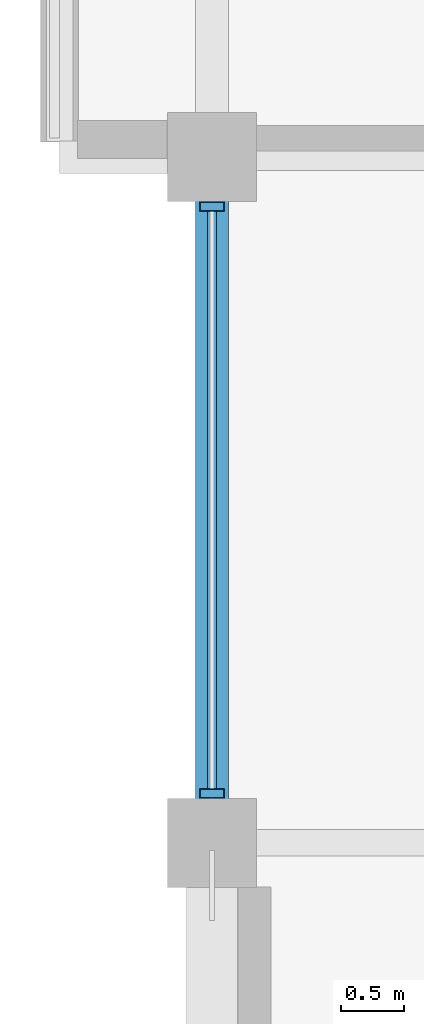
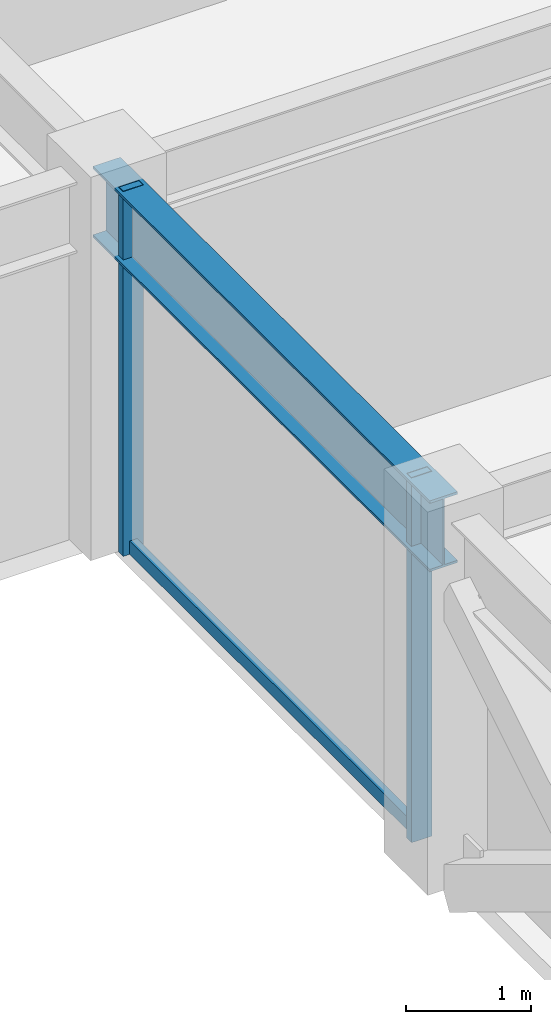
# One storey, part 4 of 29: 3 members, 1 beam, 1 element without a shape of its own.
"""IFC4 building model written with IfcOpenShell, lengths in metres."""

from ifc_helpers import new_model, si_unit, direction, frame, origin, origin_2d, place, context, subcontext, project, spatial, hollow_rectangle, i_section, extrude, material, layer, layer_set, material_profile, profile_set, type_object, element, aggregate, save


model = new_model("IFC4")

# Units and contexts
model_context = context("Model", 3, precision=1e-05, world=origin(), true_north=direction((0.0, 1.0)))
body_context = subcontext(model_context, "Body", "Model", "MODEL_VIEW")
ifc_project = project(units=[si_unit("LENGTHUNIT", "METRE"), si_unit("AREAUNIT", "SQUARE_METRE"), si_unit("VOLUMEUNIT", "CUBIC_METRE"), si_unit("PLANEANGLEUNIT", "RADIAN"), si_unit("MASSUNIT", "GRAM", prefix="KILO")], contexts=[model_context])

# Site, building, storey
site_placement = place(None, origin())
site = spatial("IfcSite", under=ifc_project, at=site_placement, CompositionType="ELEMENT")
building_placement = place(site_placement, origin())
building = spatial("IfcBuilding", under=site, at=building_placement, Name="Surkhivell Harbour Commons", CompositionType="ELEMENT")
storey_placement = place(building_placement, frame((0.0, 0.0, 277.5)))
storey = spatial("IfcBuildingStorey", under=building, at=storey_placement, Name="L72", CompositionType="ELEMENT", Elevation=277.5)

# Beam
ifc_material_1 = material(Name="Steel S355", Category="steel")
ifc_material_profile_1 = material_profile(ifc_material_1, i_section(OverallWidth=0.256103515625, OverallDepth=0.693115234375, WebThickness=0.014404296875, FlangeThickness=0.023681640625, at=origin_2d()), Name="UB686x254x170")
ifc_profile_set_1 = profile_set([ifc_material_profile_1], Name="Steel S355")
beam_type = type_object("IfcBeamType", Name="BM-SPN-686", PredefinedType="SPANDREL", material=ifc_profile_set_1)
beam_placement = place(storey_placement, frame((-27.0, -10.800048828125, 3.223388671875), z_axis=(0.0, 1.0, 0.0), x_axis=(-1.0, 0.0, 0.0)))
element("IfcBeam", 1, at=beam_placement, inside=storey, type_object=beam_type, Name="L72 Tube Spandrel (-27.0,-10.8)", PredefinedType="SPANDREL", context=body_context, shape_type="SweptSolid", body=[
    extrude(i_section(OverallWidth=0.256103515625, OverallDepth=0.693115234375, WebThickness=0.014404296875, FlangeThickness=0.023681640625, at=origin_2d()), origin(), (0.0, 0.0, 1.0), 5.400146484375),
])

# Curtain wall, members
ifc_material_2 = material(Name="Anodised pale-metal aluminium and insulated glazing", Category="aluminium")
ifc_layer = layer(ifc_material_2, 0.175048828125)
ifc_layer_set = layer_set([ifc_layer], Name="Anodised pale-metal aluminium and insulated glazing")
curtain_wall_type = type_object("IfcCurtainWallType", Name="CW-SYS-Z4", PredefinedType="NOTDEFINED", material=ifc_layer_set)
curtain_wall_placement = place(storey_placement, origin())
curtain_wall = element("IfcCurtainWall", 2, at=curtain_wall_placement, inside=storey, type_object=curtain_wall_type, Name="L72 Curtain Wall CW-L72-E12R1S1", PredefinedType="NOTDEFINED")
ifc_material_3 = material(Name="Anodised pale-metal aluminium alloy 6063-T6", Category="aluminium")
ifc_material_profile_2 = material_profile(ifc_material_3, hollow_rectangle(XDim=0.074951171875, YDim=0.18994140625, WallThickness=0.00390625, at=origin_2d()), Name="ALU-MULL-75x190")
ifc_profile_set_2 = profile_set([ifc_material_profile_2], Name="Anodised pale-metal aluminium alloy 6063-T6")
member_type_1 = type_object("IfcMemberType", Name="CWM-190", PredefinedType="MULLION", material=ifc_profile_set_2)
member_1_placement = place(storey_placement, frame((-27.0, -10.410400390625, 0.0), z_axis=(0.0, 0.0, 1.0), x_axis=(0.0, 1.0, 0.0)))
member_1 = element("IfcMember", 3, at=member_1_placement, type_object=member_type_1, Name="CW-Z4 mullion 1", PredefinedType="MULLION", context=body_context, shape_type="SweptSolid", body=[
    extrude(hollow_rectangle(XDim=0.074951171875, YDim=0.18994140625, WallThickness=0.00390625, at=origin_2d()), origin(), (0.0, 0.0, 1.0), 3.570068359375),
])
member_2_placement = place(storey_placement, frame((-27.0, -5.78955078125, 0.0), z_axis=(0.0, 0.0, 1.0), x_axis=(0.0, 1.0, 0.0)))
member_2 = element("IfcMember", 4, at=member_2_placement, type_object=member_type_1, Name="CW-Z4 mullion 2", PredefinedType="MULLION", context=body_context, shape_type="SweptSolid", body=[
    extrude(hollow_rectangle(XDim=0.074951171875, YDim=0.18994140625, WallThickness=0.00390625, at=origin_2d()), origin(), (0.0, 0.0, 1.0), 3.570068359375),
])
ifc_material_4 = material(Name="Champagne anodised aluminium alloy 6063-T6", Category="aluminium")
ifc_material_profile_3 = material_profile(ifc_material_4, hollow_rectangle(XDim=0.070068359375, YDim=0.1298828125, WallThickness=0.00341796875, at=origin_2d()), Name="ALU-TRAN-70x130")
ifc_profile_set_3 = profile_set([ifc_material_profile_3], Name="Champagne anodised aluminium alloy 6063-T6")
member_type_2 = type_object("IfcMemberType", Name="CWT-130", PredefinedType="USERDEFINED", material=ifc_profile_set_3)
member_3_placement = place(storey_placement, frame((-27.0, -10.373046875, 0.06494140625), z_axis=(0.0, 1.0, 0.0), x_axis=(-1.0, 0.0, 0.0)))
member_3 = element("IfcMember", 5, at=member_3_placement, type_object=member_type_2, Name="CW-Z4 transom 1.1", ObjectType="TRANSOM", PredefinedType="USERDEFINED", context=body_context, shape_type="SweptSolid", body=[
    extrude(hollow_rectangle(XDim=0.070068359375, YDim=0.1298828125, WallThickness=0.00341796875, at=origin_2d()), origin(), (0.0, 0.0, 1.0), 4.546142578125),
])
aggregate(curtain_wall, [member_1, member_2, member_3])

save(model, "model.ifc")
